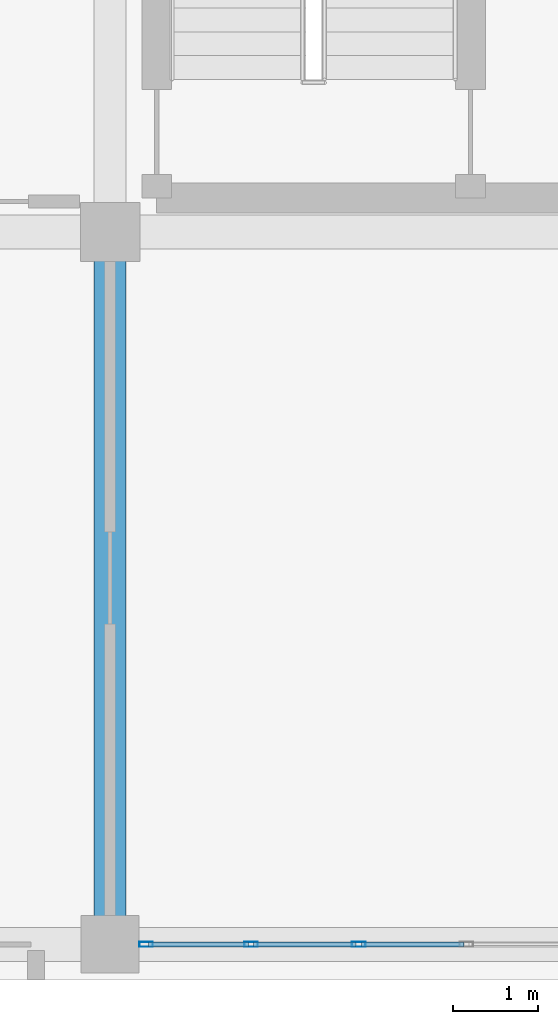
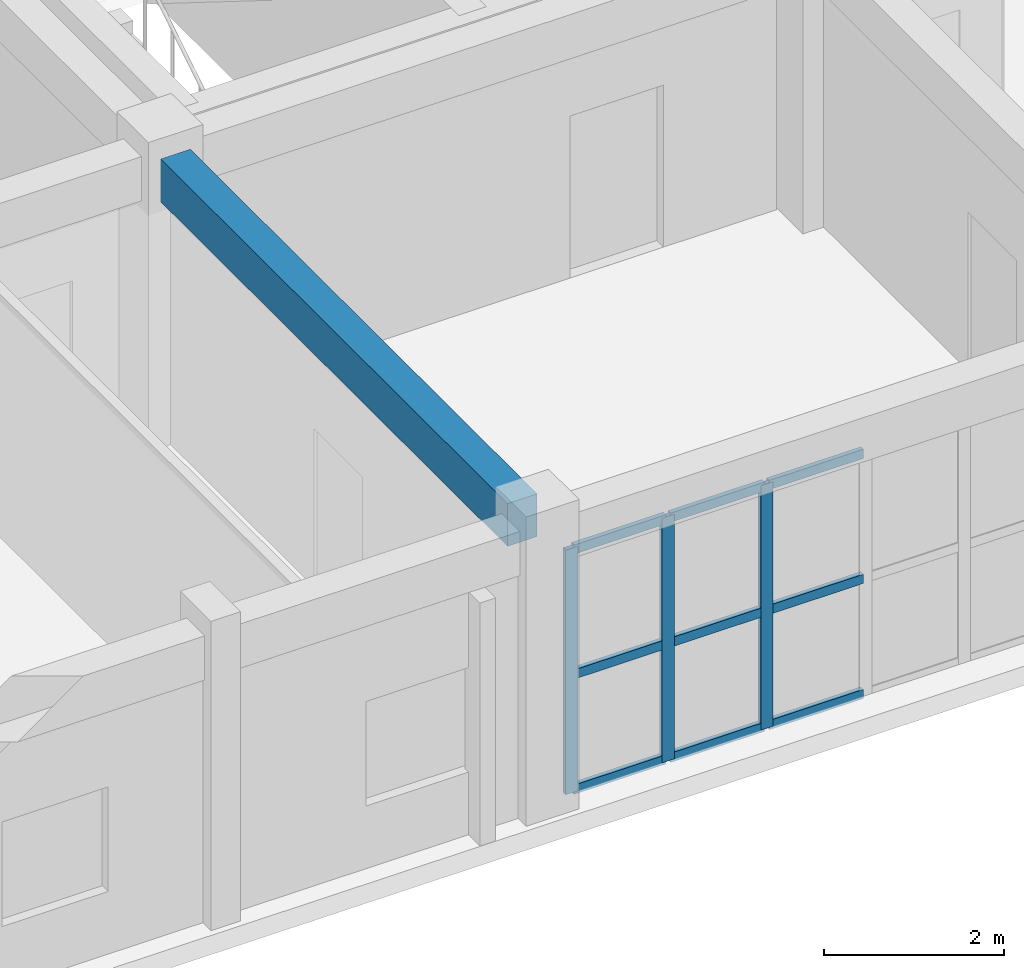
# One storey, part 25 of 140: 12 members, 1 beam, 1 element without a shape of its own.
"""IFC4 building model written with IfcOpenShell, lengths in metres."""

from ifc_helpers import new_model, si_unit, direction, frame, origin, origin_2d, place, context, subcontext, project, spatial, rectangle, hollow_rectangle, extrude, material, layer, layer_set, material_profile, profile_set, type_object, element, aggregate, save


model = new_model("IFC4")

# Units and contexts
model_context = context("Model", 3, precision=1e-05, world=origin(), true_north=direction((0.0, 1.0)))
body_context = subcontext(model_context, "Body", "Model", "MODEL_VIEW")
ifc_project = project(units=[si_unit("LENGTHUNIT", "METRE"), si_unit("AREAUNIT", "SQUARE_METRE"), si_unit("VOLUMEUNIT", "CUBIC_METRE"), si_unit("PLANEANGLEUNIT", "RADIAN"), si_unit("MASSUNIT", "GRAM", prefix="KILO")], contexts=[model_context])

# Site, building, storey
site_placement = place(None, origin())
site = spatial("IfcSite", under=ifc_project, at=site_placement, CompositionType="ELEMENT")
building_placement = place(site_placement, origin())
building = spatial("IfcBuilding", under=site, at=building_placement, Name="Trelvath General Hospital", CompositionType="ELEMENT")
storey_placement = place(building_placement, frame((0.0, 0.0, 16.199951171875)))
storey = spatial("IfcBuildingStorey", under=building, at=storey_placement, Name="L04", CompositionType="ELEMENT", Elevation=16.199951171875)

# Beam
ifc_material_1 = material(Name="Concrete C35/45", Category="concrete")
ifc_material_profile_1 = material_profile(ifc_material_1, rectangle(XDim=0.3798828125, YDim=0.580078125, at=origin_2d()), Name="RCB380x580")
ifc_profile_set_1 = profile_set([ifc_material_profile_1], Name="Concrete C35/45")
beam_type = type_object("IfcBeamType", Name="Beam RC380x580", PredefinedType="BEAM", material=ifc_profile_set_1)
beam_placement = place(storey_placement, frame((92.39990234375, 0.3349609375, 3.630126953125), z_axis=(0.0, 1.0, 0.0), x_axis=(-1.0, 0.0, 0.0)))
element("IfcBeam", 1, at=beam_placement, inside=storey, type_object=beam_type, Name="Grid Beam BY-411A", PredefinedType="BEAM", context=body_context, shape_type="SweptSolid", body=[
    extrude(rectangle(XDim=0.3798828125, YDim=0.580078125, at=origin_2d()), origin(), (0.0, 0.0, 1.0), 7.719970703125),
])

# Curtain wall, members
ifc_material_2 = material(Name="Anodised aluminium and low-E glass", Category="aluminium")
ifc_layer = layer(ifc_material_2, 0.14990234375)
ifc_layer_set = layer_set([ifc_layer], Name="Anodised aluminium and low-E glass")
curtain_wall_type = type_object("IfcCurtainWallType", Name="CW Facade 761 332 15", PredefinedType="USERDEFINED", material=ifc_layer_set)
curtain_wall_placement = place(storey_placement, origin())
curtain_wall = element("IfcCurtainWall", 2, at=curtain_wall_placement, inside=storey, type_object=curtain_wall_type, Name="Facade Curtain Wall CW-066", ObjectType="Unitised Glazed Curtain Wall", PredefinedType="USERDEFINED")
ifc_material_3 = material(Name="Anodised aluminium", Category="aluminium")
ifc_material_profile_2 = material_profile(ifc_material_3, hollow_rectangle(XDim=0.06005859375, YDim=0.159912109375, WallThickness=0.00390625, at=origin_2d()), Name="RHS60x160x4")
ifc_profile_set_2 = profile_set([ifc_material_profile_2], Name="Anodised aluminium")
member_type_1 = type_object("IfcMemberType", Name="CurtainMullion 60x160", PredefinedType="MULLION", material=ifc_profile_set_2)
member_1_placement = place(storey_placement, frame((95.331787109375, 0.0, 0.0), z_axis=(0.0, 0.0, 1.0), x_axis=(0.0, -1.0, 0.0)))
member_1 = element("IfcMember", 3, at=member_1_placement, type_object=member_type_1, Name="CW-066 mullion 5", PredefinedType="MULLION", context=body_context, shape_type="SweptSolid", body=[
    extrude(hollow_rectangle(XDim=0.06005859375, YDim=0.159912109375, WallThickness=0.00390625, at=origin_2d()), origin(), (0.0, 0.0, 1.0), 3.320068359375),
])
member_2_placement = place(storey_placement, frame((94.063232421875, 0.0, 0.0), z_axis=(0.0, 0.0, 1.0), x_axis=(0.0, -1.0, 0.0)))
member_2 = element("IfcMember", 4, at=member_2_placement, type_object=member_type_1, Name="CW-066 mullion 6", PredefinedType="MULLION", context=body_context, shape_type="SweptSolid", body=[
    extrude(hollow_rectangle(XDim=0.06005859375, YDim=0.159912109375, WallThickness=0.00390625, at=origin_2d()), origin(), (0.0, 0.0, 1.0), 3.320068359375),
])
member_3_placement = place(storey_placement, frame((92.824951171875, 0.0, 0.0), z_axis=(0.0, 0.0, 1.0), x_axis=(0.0, -1.0, 0.0)))
member_3 = element("IfcMember", 5, at=member_3_placement, type_object=member_type_1, Name="CW-066 mullion 7", PredefinedType="MULLION", context=body_context, shape_type="SweptSolid", body=[
    extrude(hollow_rectangle(XDim=0.06005859375, YDim=0.159912109375, WallThickness=0.00390625, at=origin_2d()), origin(), (0.0, 0.0, 1.0), 3.320068359375),
])
ifc_material_4 = material(Name="Anodised aluminium", Category="aluminium")
ifc_material_profile_3 = material_profile(ifc_material_4, hollow_rectangle(XDim=0.06005859375, YDim=0.125, WallThickness=0.00390625, at=origin_2d()), Name="RHS60x125x4")
ifc_profile_set_3 = profile_set([ifc_material_profile_3], Name="Anodised aluminium")
member_type_2 = type_object("IfcMemberType", Name="CurtainTransom 60x125", PredefinedType="USERDEFINED", material=ifc_profile_set_3)
member_4_placement = place(storey_placement, frame((96.570068359375, 0.0, 0.030029296875), z_axis=(-1.0, 0.0, 0.0), x_axis=(0.0, -1.0, 0.0)))
member_4 = element("IfcMember", 6, at=member_4_placement, type_object=member_type_2, Name="CW-066 transom 4.1", ObjectType="TRANSOM", PredefinedType="USERDEFINED", context=body_context, shape_type="SweptSolid", body=[
    extrude(hollow_rectangle(XDim=0.06005859375, YDim=0.125, WallThickness=0.00390625, at=origin_2d()), origin(), (0.0, 0.0, 1.0), 1.20849609375),
])
member_5_placement = place(storey_placement, frame((96.570068359375, 0.0, 1.593994140625), z_axis=(-1.0, 0.0, 0.0), x_axis=(0.0, -1.0, 0.0)))
member_5 = element("IfcMember", 7, at=member_5_placement, type_object=member_type_2, Name="CW-066 transom 4.2", ObjectType="TRANSOM", PredefinedType="USERDEFINED", context=body_context, shape_type="SweptSolid", body=[
    extrude(hollow_rectangle(XDim=0.06005859375, YDim=0.125, WallThickness=0.00390625, at=origin_2d()), origin(), (0.0, 0.0, 1.0), 1.20849609375),
])
member_6_placement = place(storey_placement, frame((96.570068359375, 0.0, 3.2900390625), z_axis=(-1.0, 0.0, 0.0), x_axis=(0.0, -1.0, 0.0)))
member_6 = element("IfcMember", 8, at=member_6_placement, type_object=member_type_2, Name="CW-066 transom 4.3", ObjectType="TRANSOM", PredefinedType="USERDEFINED", context=body_context, shape_type="SweptSolid", body=[
    extrude(hollow_rectangle(XDim=0.06005859375, YDim=0.125, WallThickness=0.00390625, at=origin_2d()), origin(), (0.0, 0.0, 1.0), 1.20849609375),
])
member_7_placement = place(storey_placement, frame((95.3017578125, 0.0, 0.030029296875), z_axis=(-1.0, 0.0, 0.0), x_axis=(0.0, -1.0, 0.0)))
member_7 = element("IfcMember", 9, at=member_7_placement, type_object=member_type_2, Name="CW-066 transom 5.1", ObjectType="TRANSOM", PredefinedType="USERDEFINED", context=body_context, shape_type="SweptSolid", body=[
    extrude(hollow_rectangle(XDim=0.06005859375, YDim=0.125, WallThickness=0.00390625, at=origin_2d()), origin(), (0.0, 0.0, 1.0), 1.20849609375),
])
member_8_placement = place(storey_placement, frame((95.3017578125, 0.0, 1.593994140625), z_axis=(-1.0, 0.0, 0.0), x_axis=(0.0, -1.0, 0.0)))
member_8 = element("IfcMember", 10, at=member_8_placement, type_object=member_type_2, Name="CW-066 transom 5.2", ObjectType="TRANSOM", PredefinedType="USERDEFINED", context=body_context, shape_type="SweptSolid", body=[
    extrude(hollow_rectangle(XDim=0.06005859375, YDim=0.125, WallThickness=0.00390625, at=origin_2d()), origin(), (0.0, 0.0, 1.0), 1.20849609375),
])
member_9_placement = place(storey_placement, frame((95.3017578125, 0.0, 3.2900390625), z_axis=(-1.0, 0.0, 0.0), x_axis=(0.0, -1.0, 0.0)))
member_9 = element("IfcMember", 11, at=member_9_placement, type_object=member_type_2, Name="CW-066 transom 5.3", ObjectType="TRANSOM", PredefinedType="USERDEFINED", context=body_context, shape_type="SweptSolid", body=[
    extrude(hollow_rectangle(XDim=0.06005859375, YDim=0.125, WallThickness=0.00390625, at=origin_2d()), origin(), (0.0, 0.0, 1.0), 1.20849609375),
])
member_10_placement = place(storey_placement, frame((94.033447265625, 0.0, 0.030029296875), z_axis=(-1.0, 0.0, 0.0), x_axis=(0.0, -1.0, 0.0)))
member_10 = element("IfcMember", 12, at=member_10_placement, type_object=member_type_2, Name="CW-066 transom 6.1", ObjectType="TRANSOM", PredefinedType="USERDEFINED", context=body_context, shape_type="SweptSolid", body=[
    extrude(hollow_rectangle(XDim=0.06005859375, YDim=0.125, WallThickness=0.00390625, at=origin_2d()), origin(), (0.0, 0.0, 1.0), 1.178466796875),
])
member_11_placement = place(storey_placement, frame((94.033447265625, 0.0, 1.593994140625), z_axis=(-1.0, 0.0, 0.0), x_axis=(0.0, -1.0, 0.0)))
member_11 = element("IfcMember", 13, at=member_11_placement, type_object=member_type_2, Name="CW-066 transom 6.2", ObjectType="TRANSOM", PredefinedType="USERDEFINED", context=body_context, shape_type="SweptSolid", body=[
    extrude(hollow_rectangle(XDim=0.06005859375, YDim=0.125, WallThickness=0.00390625, at=origin_2d()), origin(), (0.0, 0.0, 1.0), 1.178466796875),
])
member_12_placement = place(storey_placement, frame((94.033447265625, 0.0, 3.2900390625), z_axis=(-1.0, 0.0, 0.0), x_axis=(0.0, -1.0, 0.0)))
member_12 = element("IfcMember", 14, at=member_12_placement, type_object=member_type_2, Name="CW-066 transom 6.3", ObjectType="TRANSOM", PredefinedType="USERDEFINED", context=body_context, shape_type="SweptSolid", body=[
    extrude(hollow_rectangle(XDim=0.06005859375, YDim=0.125, WallThickness=0.00390625, at=origin_2d()), origin(), (0.0, 0.0, 1.0), 1.178466796875),
])
aggregate(curtain_wall, [member_1, member_2, member_3, member_4, member_5, member_6, member_7, member_8, member_9, member_10, member_11, member_12])

save(model, "model.ifc")
